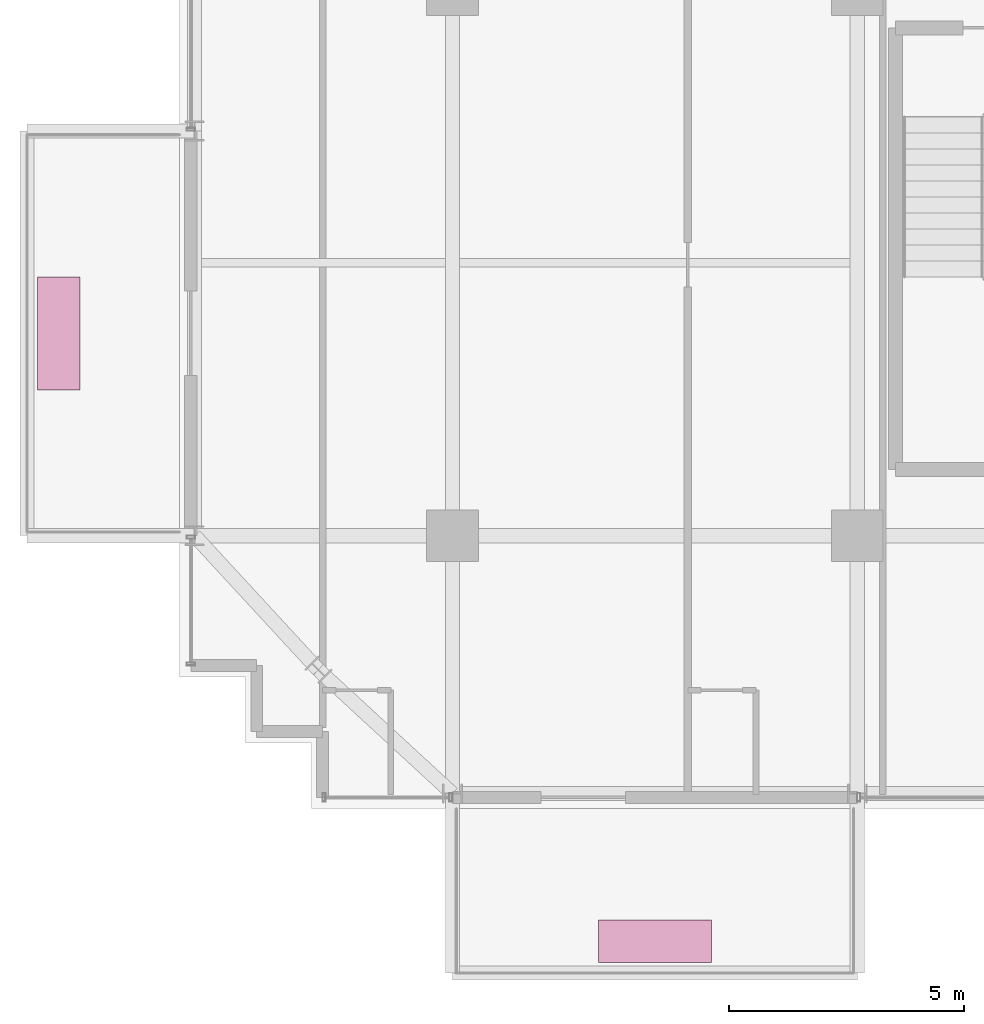
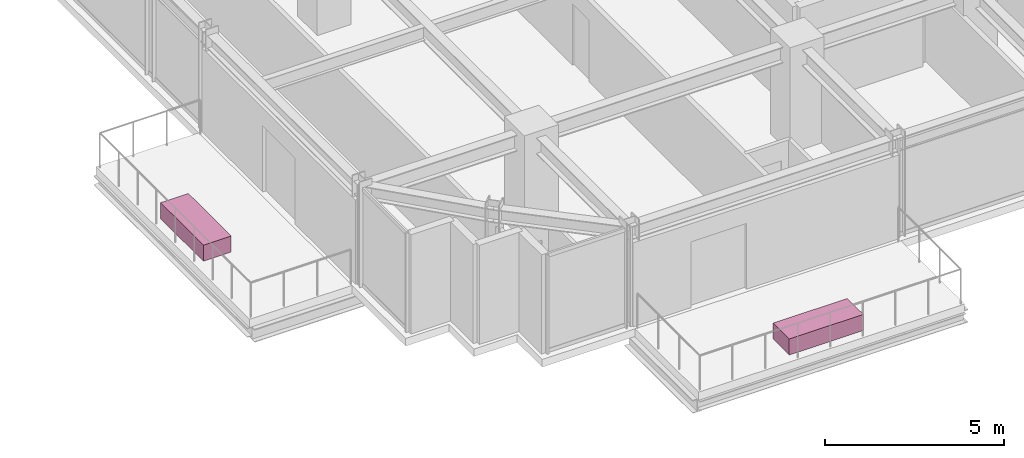
# One storey, part 31 of 31: 2 furnishings.
"""IFC4 building model written with IfcOpenShell, lengths in metres."""

from ifc_helpers import new_model, si_unit, direction, frame, origin, origin_2d, place, context, subcontext, project, spatial, rectangle, extrude, source, transform, mapped, material, type_object, element, save


model = new_model("IFC4")

# Units and contexts
model_context = context("Model", 3, precision=1e-05, world=origin(), true_north=direction((0.0, 1.0)))
body_context = subcontext(model_context, "Body", "Model", "MODEL_VIEW")
ifc_project = project(units=[si_unit("LENGTHUNIT", "METRE"), si_unit("AREAUNIT", "SQUARE_METRE"), si_unit("VOLUMEUNIT", "CUBIC_METRE"), si_unit("PLANEANGLEUNIT", "RADIAN"), si_unit("MASSUNIT", "GRAM", prefix="KILO")], contexts=[model_context])

# Site, building, storey
site_placement = place(None, origin())
site = spatial("IfcSite", under=ifc_project, at=site_placement, CompositionType="ELEMENT")
building_placement = place(site_placement, origin())
building = spatial("IfcBuilding", under=site, at=building_placement, Name="Nahalor Promenade Grand Hotel", CompositionType="ELEMENT")
storey_placement = place(building_placement, frame((0.0, 0.0, 156.300048828125)))
storey = spatial("IfcBuildingStorey", under=building, at=storey_placement, Name="L39", CompositionType="ELEMENT", Elevation=156.300048828125)

# Furnishings
ifc_material = material(Name="Vegetated Volcanic-Lapilli Tree Planter", Category="earth")
furnishing_element_type = type_object("IfcFurnishingElementType", Name="Planter-VerticalForest-Box", material=ifc_material)
shared_shape = source(origin(), body_context, "Body", "SweptSolid", [
    extrude(rectangle(XDim=2.39990234375, YDim=0.89990234375, at=origin_2d()), origin(), (0.0, 0.0, 1.0), 0.550048828125),
])
for number, where, z_axis, x_axis, name in (
    (1, (-12.699951171875, -25.6201171875, 0.0), (0.0, 0.0, 1.0), (1.0, 0.0, 0.0), "L39 Balcony Structural Tree Planter 1"),
    (2, (-25.3701171875, -12.699951171875, 0.0), (0.0, 0.0, 1.0), (0.0, 1.0, 0.0), "L39 Balcony Structural Tree Planter 2"),
):
    element("IfcFurnishingElement", number, at=place(storey_placement, frame(where, z_axis=z_axis, x_axis=x_axis)), inside=storey, type_object=furnishing_element_type, Name=name, ObjectType="PLANTER", context=body_context, shape_type="MappedRepresentation", body=[
        mapped(shared_shape, transform((0.0, 0.0, 0.0), scale=1.0)),
    ])

save(model, "model.ifc")
